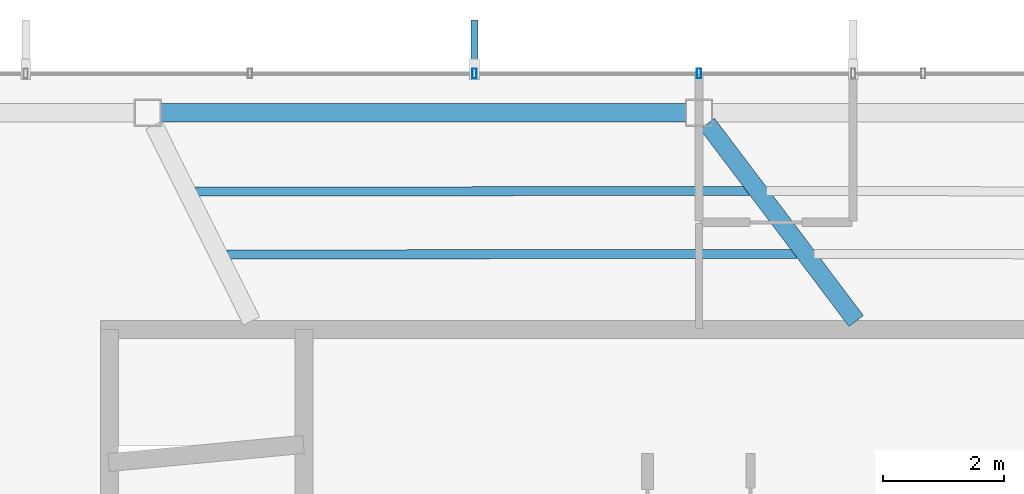
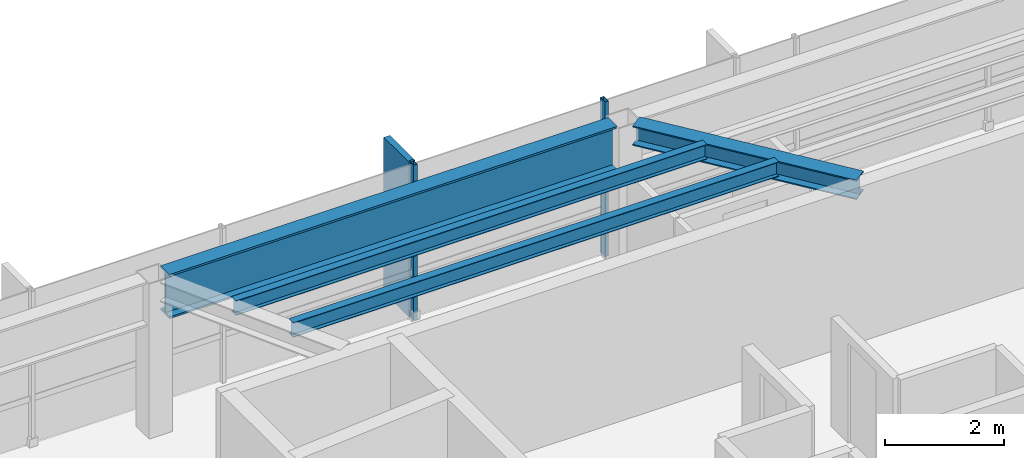
# One storey, part 12 of 23: 4 beams, 3 members, 1 element without a shape of its own.
"""IFC4 building model written with IfcOpenShell, lengths in metres."""

from ifc_helpers import new_model, si_unit, direction, frame, origin, origin_2d, place, context, subcontext, project, spatial, rectangle, hollow_rectangle, i_section, extrude, material, layer, layer_set, material_profile, profile_set, type_object, element, aggregate, save


model = new_model("IFC4")

# Units and contexts
model_context = context("Model", 3, precision=1e-05, world=origin(), true_north=direction((0.0, 1.0)))
body_context = subcontext(model_context, "Body", "Model", "MODEL_VIEW")
ifc_project = project(units=[si_unit("LENGTHUNIT", "METRE"), si_unit("AREAUNIT", "SQUARE_METRE"), si_unit("VOLUMEUNIT", "CUBIC_METRE"), si_unit("PLANEANGLEUNIT", "RADIAN"), si_unit("MASSUNIT", "GRAM", prefix="KILO")], contexts=[model_context])

# Site, building, storey
site_placement = place(None, origin())
site = spatial("IfcSite", under=ifc_project, at=site_placement, CompositionType="ELEMENT")
building_placement = place(site_placement, origin())
building = spatial("IfcBuilding", under=site, at=building_placement, Name="Zarrinselat Tower", CompositionType="ELEMENT")
storey_placement = place(building_placement, frame((0.0, 0.0, 282.199951171875)))
storey = spatial("IfcBuildingStorey", under=building, at=storey_placement, Name="L72", CompositionType="ELEMENT", Elevation=282.199951171875)

# Beams
ifc_material_1 = material(Name="Steel S355J2", Category="steel")
ifc_material_profile_1 = material_profile(ifc_material_1, i_section(OverallWidth=0.300048828125, OverallDepth=0.39990234375, WebThickness=0.013427734375, FlangeThickness=0.02392578125, at=origin_2d()), Name="HEB 400")
ifc_profile_set_1 = profile_set([ifc_material_profile_1], Name="Steel S355J2")
beam_type_1 = type_object("IfcBeamType", Name="BM-HEB400", PredefinedType="BEAM", material=ifc_profile_set_1)
beam_1_placement = place(storey_placement, frame((38.536865234375, 46.802001953125, 2.97998046875), z_axis=(0.602605771605, -0.798039024126, 0.0), x_axis=(0.798039024126, 0.602605771605, 0.0)))
element("IfcBeam", 1, at=beam_1_placement, inside=storey, type_object=beam_type_1, Name="L72 Radial Primary Girder RG03", PredefinedType="BEAM", context=body_context, shape_type="SweptSolid", body=[
    extrude(i_section(OverallWidth=0.300048828125, OverallDepth=0.39990234375, WebThickness=0.013427734375, FlangeThickness=0.02392578125, at=origin_2d()), origin(), (0.0, 0.0, 1.0), 4.08740234375),
])
ifc_material_2 = material(Name="Steel S460M", Category="steel")
ifc_material_profile_2 = material_profile(ifc_material_2, i_section(OverallWidth=0.302001953125, OverallDepth=0.909912109375, WebThickness=0.02099609375, FlangeThickness=0.0400390625, at=origin_2d()), Name="HEM 900")
ifc_profile_set_2 = profile_set([ifc_material_profile_2], Name="Steel S460M")
beam_type_2 = type_object("IfcBeamType", Name="BM-HEM900", PredefinedType="BEAM", material=ifc_profile_set_2)
beam_2_placement = place(storey_placement, frame((29.496337890625, 46.9833984375, 2.72509765625), z_axis=(1.0, 0.0, 0.0), x_axis=(0.0, 1.0, 0.0)))
element("IfcBeam", 2, at=beam_2_placement, inside=storey, type_object=beam_type_2, Name="L72 Perimeter Spandrel Girder SP03", PredefinedType="BEAM", context=body_context, shape_type="SweptSolid", body=[
    extrude(i_section(OverallWidth=0.302001953125, OverallDepth=0.909912109375, WebThickness=0.02099609375, FlangeThickness=0.0400390625, at=origin_2d()), origin(), (0.0, 0.0, 1.0), 8.690673828125),
])
ifc_material_3 = material(Name="Steel S355J2", Category="steel")
ifc_material_profile_3 = material_profile(ifc_material_3, i_section(OverallWidth=0.14990234375, OverallDepth=0.300048828125, WebThickness=0.007080078125, FlangeThickness=0.0107421875, at=origin_2d()), Name="IPE 300")
ifc_profile_set_3 = profile_set([ifc_material_profile_3], Name="Steel S355J2")
beam_type_3 = type_object("IfcBeamType", Name="BM-IPE300", PredefinedType="JOIST", material=ifc_profile_set_3)
beam_3_placement = place(storey_placement, frame((30.073974609375, 45.6787109375, 3.030029296875), z_axis=(0.999998805252, 0.001545799171, 0.0), x_axis=(-0.001545799171, 0.999998805252, 0.0)))
element("IfcBeam", 3, at=beam_3_placement, inside=storey, type_object=beam_type_3, Name="L72 Composite Floor Joist 8-1", PredefinedType="JOIST", context=body_context, shape_type="SweptSolid", body=[
    extrude(i_section(OverallWidth=0.14990234375, OverallDepth=0.300048828125, WebThickness=0.007080078125, FlangeThickness=0.0107421875, at=origin_2d()), origin(), (0.0, 0.0, 1.0), 9.160400390625),
])
beam_4_placement = place(storey_placement, frame((30.5908203125, 44.6416015625, 3.030029296875), z_axis=(0.999999698479, 0.000776558059, 0.0), x_axis=(-0.000776558059, 0.999999698479, 0.0)))
element("IfcBeam", 4, at=beam_4_placement, inside=storey, type_object=beam_type_3, Name="L72 Composite Floor Joist 8-2", PredefinedType="JOIST", context=body_context, shape_type="SweptSolid", body=[
    extrude(i_section(OverallWidth=0.14990234375, OverallDepth=0.300048828125, WebThickness=0.007080078125, FlangeThickness=0.0107421875, at=origin_2d()), origin(), (0.0, 0.0, 1.0), 9.431640625),
])

# Curtain wall, members
ifc_material_4 = material(Name="Extruded Aluminium Alloy EN AW-6063 T6", Category="aluminium")
ifc_layer = layer(ifc_material_4, 0.169921875)
ifc_layer_set = layer_set([ifc_layer], Name="Extruded Aluminium Alloy EN AW-6063 T6")
curtain_wall_type = type_object("IfcCurtainWallType", Name="CWS-RES", PredefinedType="NOTDEFINED", material=ifc_layer_set)
curtain_wall_placement = place(storey_placement, origin())
curtain_wall = element("IfcCurtainWall", 5, at=curtain_wall_placement, inside=storey, type_object=curtain_wall_type, Name="L72 Unitised Curtain Wall CW-L72-E01", PredefinedType="NOTDEFINED")
ifc_material_5 = material(Name="Extruded Aluminium Alloy EN AW-6063 T6", Category="aluminium")
ifc_material_profile_4 = material_profile(ifc_material_5, hollow_rectangle(XDim=0.070068359375, YDim=0.159912109375, WallThickness=0.00390625, at=origin_2d()), Name="RHS 160x70x4")
ifc_profile_set_4 = profile_set([ifc_material_profile_4], Name="Extruded Aluminium Alloy EN AW-6063 T6")
member_type_1 = type_object("IfcMemberType", Name="MEM-CW-MUL2", PredefinedType="MULLION", material=ifc_profile_set_4)
member_1_placement = place(storey_placement, frame((38.39990234375, 47.63330078125, 0.0), z_axis=(0.0, 0.0, 1.0), x_axis=(-1.0, 0.0, 0.0)))
member_1 = element("IfcMember", 6, at=member_1_placement, type_object=member_type_1, Name="CW-L72-E01 Mullion 8", PredefinedType="MULLION", context=body_context, shape_type="SweptSolid", body=[
    extrude(hollow_rectangle(XDim=0.070068359375, YDim=0.159912109375, WallThickness=0.00390625, at=origin_2d()), origin(), (0.0, 0.0, 1.0), 3.179931640625),
])
member_2_placement = place(storey_placement, frame((34.68798828125, 47.63330078125, 0.0), z_axis=(0.0, 0.0, 1.0), x_axis=(-1.0, 0.0, 0.0)))
member_2 = element("IfcMember", 7, at=member_2_placement, type_object=member_type_1, Name="CW-L72-E01 Mullion 9", PredefinedType="MULLION", context=body_context, shape_type="SweptSolid", body=[
    extrude(hollow_rectangle(XDim=0.070068359375, YDim=0.159912109375, WallThickness=0.00390625, at=origin_2d()), origin(), (0.0, 0.0, 1.0), 3.179931640625),
])
ifc_material_6 = material(Name="Honed Cream Travertine Stone", Category="masonry")
ifc_material_profile_5 = material_profile(ifc_material_6, rectangle(XDim=0.1201171875, YDim=0.85009765625, at=origin_2d()), Name="FIN 850x120")
ifc_profile_set_5 = profile_set([ifc_material_profile_5], Name="Honed Cream Travertine Stone")
member_type_2 = type_object("IfcMemberType", Name="MEM-STONE-FIN", PredefinedType="USERDEFINED", material=ifc_profile_set_5)
member_3_placement = place(storey_placement, frame((34.68798828125, 48.09326171875, 0.0), z_axis=(0.0, 0.0, 1.0), x_axis=(1.0, 0.0, 0.0)))
member_3 = element("IfcMember", 8, at=member_3_placement, type_object=member_type_2, Name="L72 Stone Shading Fin CW-L72-E01-09", ObjectType="FIN", PredefinedType="USERDEFINED", context=body_context, shape_type="SweptSolid", body=[
    extrude(rectangle(XDim=0.1201171875, YDim=0.85009765625, at=origin_2d()), origin(), (0.0, 0.0, 1.0), 3.179931640625),
])
aggregate(curtain_wall, [member_1, member_2, member_3])

save(model, "model.ifc")
